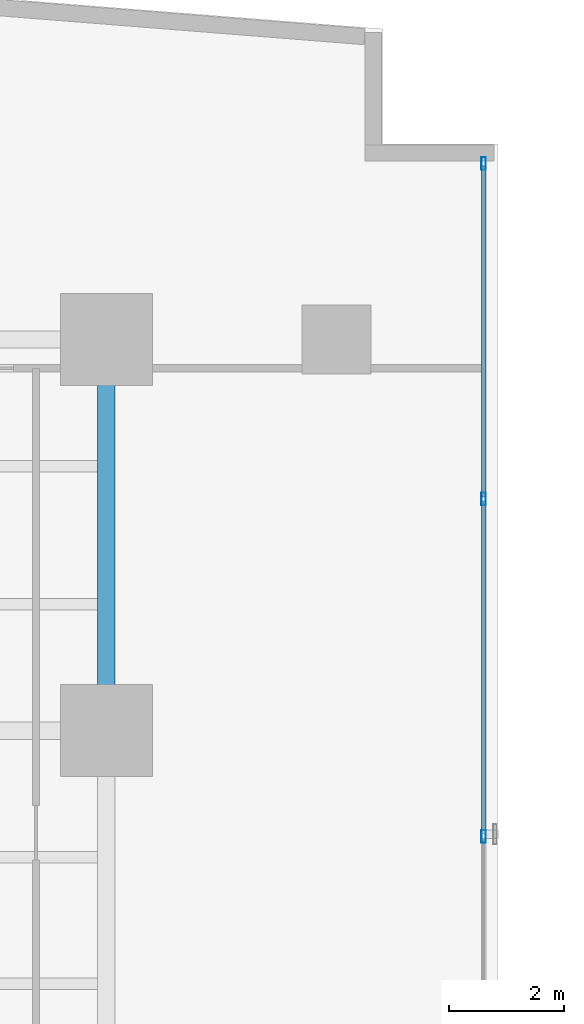
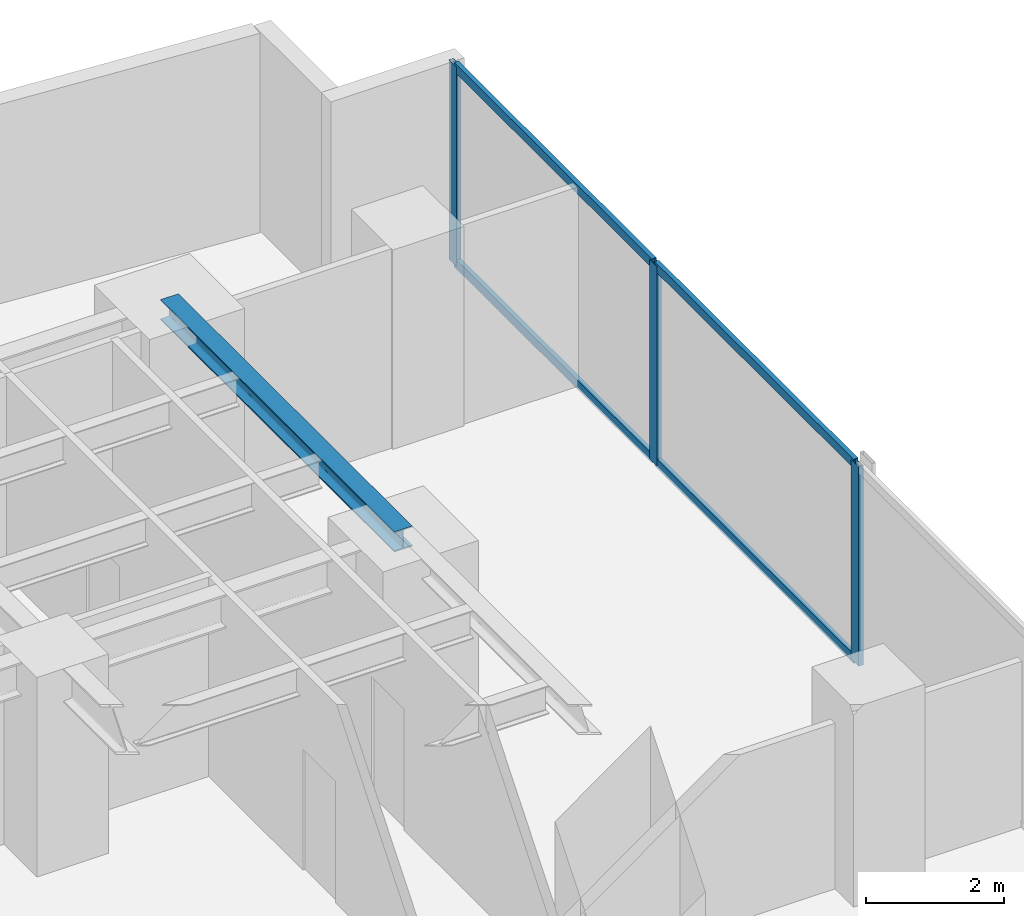
# One storey, part 19 of 28: 7 members, 1 beam, 1 element without a shape of its own.
"""IFC4 building model written with IfcOpenShell, lengths in metres."""

import ifcopenshell
import ifcopenshell.guid

model = None  # the IFC model being written
_history = None  # IfcOwnerHistory: only IFC2X3 demands one
_inside = {}  # id of a spatial element -> (the spatial element, [elements in it])
_under = {}  # id of a project, library or spatial element -> (it, [spatial elements below it])
_declared = {}  # id of a project -> (the project, [libraries it declares])
_typed = {}  # id of a type object -> (the type object, [elements of that type])
_made_of = {}  # id of a material, layer set ... -> (it, [elements and type objects made of it])


def new_model(schema):
    """Start an empty IFC model of exactly this schema.

    Asked for "IFC4X3", IfcOpenShell would pick the latest addendum, in which some entities
    have other attributes; the version numbers below select the first issue.
    IFC2X3 requires an IfcOwnerHistory on every rooted entity: one is made here for all.
    """
    global model, _history
    if schema == "IFC4X3":
        model = ifcopenshell.file(schema_version=(4, 3, 0, 0))
    else:
        model = ifcopenshell.file(schema=schema)
    _inside.clear()
    _under.clear()
    _declared.clear()
    _typed.clear()
    _made_of.clear()
    _history = None
    if model.schema == "IFC2X3":
        org = make("IfcOrganization", Name="unknown")
        user = make(
            "IfcPersonAndOrganization",
            ThePerson=make("IfcPerson", FamilyName="unknown"),
            TheOrganization=org,
        )
        app = make(
            "IfcApplication",
            ApplicationDeveloper=org,
            Version="unknown",
            ApplicationFullName="unknown",
            ApplicationIdentifier="unknown",
        )
        _history = make(
            "IfcOwnerHistory",
            OwningUser=user,
            OwningApplication=app,
            ChangeAction="ADDED",
            CreationDate=0,
        )
    return model


def make(cls, **values):
    """One entity of the class cls with the attributes given. An attribute that is None is left unset."""
    return model.create_entity(
        cls, **{name: value for name, value in values.items() if value is not None}
    )


def rooted(cls, **values):
    """An entity with a GlobalId (a new one), such as an element, a storey or a relation."""
    return make(cls, GlobalId=ifcopenshell.guid.new(), OwnerHistory=_history, **values)


def si_unit(unit_type, name, prefix=None):
    """IfcSIUnit, for example si_unit("LENGTHUNIT", "METRE", prefix="MILLI")."""
    return make("IfcSIUnit", UnitType=unit_type, Prefix=prefix, Name=name)


def assignment(units):
    """IfcUnitAssignment: the units of a project."""
    return None if units is None else make("IfcUnitAssignment", Units=units)


def point(xyz):
    """IfcCartesianPoint."""
    return None if xyz is None else make("IfcCartesianPoint", Coordinates=xyz)


def direction(xyz):
    """IfcDirection."""
    return None if xyz is None else make("IfcDirection", DirectionRatios=xyz)


def frame(location, z_axis=None, x_axis=None):
    """IfcAxis2Placement3D, a coordinate frame: its origin and axes. An axis left out is left unset."""
    return make(
        "IfcAxis2Placement3D",
        Location=point(location),
        Axis=direction(z_axis),
        RefDirection=direction(x_axis),
    )


def frame_2d(location, x_axis=None):
    """IfcAxis2Placement2D, a coordinate frame in the plane: its origin and x axis."""
    return make(
        "IfcAxis2Placement2D", Location=point(location), RefDirection=direction(x_axis)
    )


def origin():
    """The frame at (0, 0, 0) with its axes left unset."""
    return frame((0.0, 0.0, 0.0))


def origin_with_axes():
    """The frame at (0, 0, 0) with the z axis (0, 0, 1) and the x axis (1, 0, 0) written out."""
    return frame((0.0, 0.0, 0.0), z_axis=(0.0, 0.0, 1.0), x_axis=(1.0, 0.0, 0.0))


def origin_2d():
    """The frame at (0, 0) in the plane with its x axis left unset."""
    return frame_2d((0.0, 0.0))


def place(relative_to, where):
    """IfcLocalPlacement: puts the frame where relative to a parent placement (None: the world)."""
    return make(
        "IfcLocalPlacement", PlacementRelTo=relative_to, RelativePlacement=where
    )


def context(
    kind, dimensions, precision=None, world=None, true_north=None, identifier=None
):
    """IfcGeometricRepresentationContext, for example the 3D "Model" context."""
    return make(
        "IfcGeometricRepresentationContext",
        ContextIdentifier=identifier,
        ContextType=kind,
        CoordinateSpaceDimension=dimensions,
        Precision=precision,
        WorldCoordinateSystem=world,
        TrueNorth=true_north,
    )


def subcontext(parent, identifier, kind, view, scale=None):
    """IfcGeometricRepresentationSubContext, for example "Body" below "Model"."""
    return make(
        "IfcGeometricRepresentationSubContext",
        ContextIdentifier=identifier,
        ContextType=kind,
        ParentContext=parent,
        TargetScale=scale,
        TargetView=view,
    )


def project(units=None, contexts=None):
    """IfcProject with its units and contexts."""
    return rooted(
        "IfcProject",
        Name="project",
        RepresentationContexts=contexts,
        UnitsInContext=assignment(units),
    )


def spatial(cls, under=None, at=None, **own):
    """A site, building, storey or space (cls), placed at a placement, below another one or the project."""
    s = rooted(cls, ObjectPlacement=at, **own)
    if under is not None:
        _under.setdefault(under.id(), (under, []))[1].append(s)
    return s


def profile(cls, at=None, kind="AREA", **sizes):
    """A parametric profile (cls). Its sizes go by their IFC names, for example OverallWidth=200.0."""
    return make(cls, ProfileType=kind, Position=at, **sizes)


def hollow_rectangle(**sizes):
    """IfcRectangleHollowProfileDef."""
    return profile("IfcRectangleHollowProfileDef", **sizes)


def i_section(**sizes):
    """IfcIShapeProfileDef."""
    return profile("IfcIShapeProfileDef", **sizes)


def extrude(swept, where, along, depth):
    """IfcExtrudedAreaSolid: the profile swept, set in the frame where, extruded along a direction by depth."""
    return make(
        "IfcExtrudedAreaSolid",
        SweptArea=swept,
        Position=where,
        ExtrudedDirection=direction(along),
        Depth=depth,
    )


def shape(context_of_items, identifier, shape_type, items):
    """IfcShapeRepresentation: the items that make up one representation, for example the "Body"."""
    return make(
        "IfcShapeRepresentation",
        ContextOfItems=context_of_items,
        RepresentationIdentifier=identifier,
        RepresentationType=shape_type,
        Items=items,
    )


def source(mapping_origin, context_of_items, identifier, shape_type, items):
    """IfcRepresentationMap: a shape defined once, which mapped items show again and again."""
    return make(
        "IfcRepresentationMap",
        MappingOrigin=mapping_origin,
        MappedRepresentation=shape(context_of_items, identifier, shape_type, items),
    )


def transform(
    local_origin,
    x_axis=None,
    y_axis=None,
    z_axis=None,
    scale=None,
    scale2=None,
    scale3=None,
    uniform=True,
):
    """IfcCartesianTransformationOperator3D, or its non-uniform kind. x_axis, y_axis, z_axis: its Axis1, 2, 3."""
    if uniform:
        return make(
            "IfcCartesianTransformationOperator3D",
            Axis1=direction(x_axis),
            Axis2=direction(y_axis),
            LocalOrigin=point(local_origin),
            Scale=scale,
            Axis3=direction(z_axis),
        )
    return make(
        "IfcCartesianTransformationOperator3DnonUniform",
        Axis1=direction(x_axis),
        Axis2=direction(y_axis),
        LocalOrigin=point(local_origin),
        Scale=scale,
        Axis3=direction(z_axis),
        Scale2=scale2,
        Scale3=scale3,
    )


def mapped(mapping_source, mapping_target):
    """IfcMappedItem: shows the shape of a source again, moved by a transform."""
    return make(
        "IfcMappedItem", MappingSource=mapping_source, MappingTarget=mapping_target
    )


def material(Name=None, Category=None):
    """IfcMaterial."""
    return make("IfcMaterial", Name=Name, Category=Category)


def layer(
    of_material, thickness, ventilated=None, Name=None, Category=None, Priority=None
):
    """IfcMaterialLayer: one layer of a wall or slab, of a material (None: an air gap)."""
    return make(
        "IfcMaterialLayer",
        Material=of_material,
        LayerThickness=thickness,
        IsVentilated=ventilated,
        Name=Name,
        Category=Category,
        Priority=Priority,
    )


def layer_set(layers, Name=None):
    """IfcMaterialLayerSet."""
    return make("IfcMaterialLayerSet", MaterialLayers=layers, LayerSetName=Name)


def material_profile(
    of_material, cross_section, Name=None, Category=None, Priority=None
):
    """IfcMaterialProfile: a cross section and its material."""
    return make(
        "IfcMaterialProfile",
        Name=Name,
        Material=of_material,
        Profile=cross_section,
        Priority=Priority,
        Category=Category,
    )


def profile_set(profiles, Name=None, composite=None):
    """IfcMaterialProfileSet."""
    return make(
        "IfcMaterialProfileSet",
        Name=Name,
        MaterialProfiles=profiles,
        CompositeProfile=composite,
    )


def made_of(thing, what):
    """Note that an element or type object is made of a material, layer set ...; save() writes the relation."""
    if what is not None:
        _made_of.setdefault(what.id(), (what, []))[1].append(thing)
    return thing


def type_object(cls, material=None, **own):
    """A type object (cls), such as IfcWallType, which elements share."""
    return made_of(rooted(cls, **own), material)


def element(
    cls,
    number,
    at=None,
    inside=None,
    cuts=None,
    type_object=None,
    material=None,
    context=None,
    identifier="Body",
    shape_type=None,
    held_by="IfcProductDefinitionShape",
    body=None,
    shapes=None,
    **own,
):
    """One element of the class cls, such as IfcWall. Its Tag is "e" and its number.

    at: its placement. inside: the storey or other place that contains it. cuts: it is an
    opening in that element (IfcRelVoidsElement). A single representation is given by context,
    identifier, shape_type and body (its items); several are given by shapes. held_by: the class
    of the entity that holds the representations. save() writes the other relations.
    """
    e = rooted(cls, Tag="e%d" % number, ObjectPlacement=at, **own)
    if body is not None:
        shapes = [shape(context, identifier, shape_type, body)]
    if shapes is not None:
        e.Representation = make(held_by, Representations=shapes)
    if inside is not None:
        _inside.setdefault(inside.id(), (inside, []))[1].append(e)
    if cuts is not None:
        rooted(
            "IfcRelVoidsElement", RelatingBuildingElement=cuts, RelatedOpeningElement=e
        )
    if type_object is not None:
        _typed.setdefault(type_object.id(), (type_object, []))[1].append(e)
    return made_of(e, material)


def aggregate(whole, parts):
    """IfcRelAggregates: a whole, such as a stair, and the parts it consists of."""
    return rooted("IfcRelAggregates", RelatingObject=whole, RelatedObjects=parts)


def save(model, path):
    """Write the relations noted so far, then the file.

    IfcRelAggregates (storeys below a building ...), IfcRelContainedInSpatialStructure (elements
    in a storey), IfcRelDefinesByType, IfcRelAssociatesMaterial and IfcRelDeclares: one each for
    every whole, place, type object, material and project.
    """
    for whole, parts in _under.values():
        aggregate(whole, parts)
    for where, things in _inside.values():
        rooted(
            "IfcRelContainedInSpatialStructure",
            RelatedElements=things,
            RelatingStructure=where,
        )
    for kind, things in _typed.values():
        rooted("IfcRelDefinesByType", RelatedObjects=things, RelatingType=kind)
    for what, things in _made_of.values():
        rooted("IfcRelAssociatesMaterial", RelatedObjects=things, RelatingMaterial=what)
    for by, libraries in _declared.values():
        rooted("IfcRelDeclares", RelatingContext=by, RelatedDefinitions=libraries)
    model.write(path)


model = new_model("IFC4")

# Units and contexts
model_context = context("Model", 3, precision=1e-05, world=origin(), true_north=direction((0.0, 1.0)))
body_context = subcontext(model_context, "Body", "Model", "MODEL_VIEW")
ifc_project = project(units=[si_unit("LENGTHUNIT", "METRE"), si_unit("AREAUNIT", "SQUARE_METRE"), si_unit("VOLUMEUNIT", "CUBIC_METRE"), si_unit("PLANEANGLEUNIT", "RADIAN"), si_unit("MASSUNIT", "GRAM", prefix="KILO")], contexts=[model_context])

# Site, building, storey
site_placement = place(None, origin())
site = spatial("IfcSite", under=ifc_project, at=site_placement, CompositionType="ELEMENT")
building_placement = place(site_placement, origin())
building = spatial("IfcBuilding", under=site, at=building_placement, Name="Kolvaren Waterfront Exchange", CompositionType="ELEMENT")
storey_placement = place(building_placement, frame((0.0, 0.0, 56.199951171875)))
storey = spatial("IfcBuildingStorey", under=building, at=storey_placement, Name="L14", CompositionType="ELEMENT", Elevation=56.199951171875)

# Beam
ifc_material_1 = material(Name="Steel S355", Category="steel")
ifc_material_profile_1 = material_profile(ifc_material_1, i_section(OverallWidth=0.300048828125, OverallDepth=0.360107421875, WebThickness=0.012451171875, FlangeThickness=0.0224609375, FilletRadius=0.027099609375, at=origin_2d()), Name="HEB360")
ifc_profile_set_1 = profile_set([ifc_material_profile_1], Name="Steel S355")
beam_type = type_object("IfcBeamType", Name="STR-BM-HEB360", PredefinedType="SPANDREL", material=ifc_profile_set_1)
beam_placement = place(storey_placement, frame((18.800048828125, 37.800048828125, 3.360107421875), z_axis=(0.0, 1.0, 0.0), x_axis=(-1.0, 0.0, 0.0)))
element("IfcBeam", 1, at=beam_placement, inside=storey, type_object=beam_type, Name="L14 north-arm edge beam 3", PredefinedType="SPANDREL", context=body_context, shape_type="SweptSolid", body=[
    extrude(i_section(OverallWidth=0.300048828125, OverallDepth=0.360107421875, WebThickness=0.012451171875, FlangeThickness=0.0224609375, FilletRadius=0.027099609375, at=origin_2d()), origin(), (0.0, 0.0, 1.0), 6.800048828125),
])

# Curtain wall, members
ifc_material_2 = material(Name="Anodised bronze aluminium 6063-T6", Category="aluminium")
ifc_layer = layer(ifc_material_2, 0.219970703125, Name="Anodised bronze aluminium 6063-T6")
ifc_layer_set = layer_set([ifc_layer], Name="Anodised bronze aluminium 6063-T6")
curtain_wall_type = type_object("IfcCurtainWallType", Name="ARC-CW-SYS1", PredefinedType="USERDEFINED", material=ifc_layer_set)
curtain_wall_placement = place(storey_placement, origin())
curtain_wall = element("IfcCurtainWall", 2, at=curtain_wall_placement, inside=storey, type_object=curtain_wall_type, Name="L14 stick curtain wall CW1 (CW-L14-NE)", ObjectType="STICK CURTAIN WALL", PredefinedType="USERDEFINED")
ifc_material_3 = material(Name="Anodised aluminium 6063-T6", Category="aluminium")
ifc_material_profile_2 = material_profile(ifc_material_3, hollow_rectangle(XDim=0.074951171875, YDim=0.159912109375, WallThickness=0.00439453125, at=origin_2d()), Name="ALU-TRN-160x75x4.5")
ifc_profile_set_2 = profile_set([ifc_material_profile_2], Name="Anodised aluminium 6063-T6")
member_type_1 = type_object("IfcMemberType", Name="ARC-CWT-160", PredefinedType="USERDEFINED", material=ifc_profile_set_2)
shared_shape_1 = source(origin_with_axes(), body_context, "Body", "SweptSolid", [
    extrude(hollow_rectangle(XDim=0.074951171875, YDim=0.159912109375, WallThickness=0.00439453125, at=origin_2d()), origin(), (0.0, 0.0, 1.0), 5.75),
])
member_1_placement = place(storey_placement, frame((25.360107421875, 41.8701171875, 0.03759765625), z_axis=(0.0, 1.0, 0.0), x_axis=(-1.0, 0.0, 0.0)))
member_1 = element("IfcMember", 3, at=member_1_placement, type_object=member_type_1, Name="CW1 transom 3.1", ObjectType="TRANSOM", PredefinedType="USERDEFINED", context=body_context, shape_type="MappedRepresentation", body=[
    mapped(shared_shape_1, transform((0.0, 0.0, 0.0), x_axis=(1.0, 0.0, 0.0), y_axis=(0.0, 1.0, 0.0), z_axis=(0.0, 0.0, 1.0), scale=1.0)),
])
member_2_placement = place(storey_placement, frame((25.360107421875, 41.8701171875, 3.50244140625), z_axis=(0.0, 1.0, 0.0), x_axis=(-1.0, 0.0, 0.0)))
member_2 = element("IfcMember", 4, at=member_2_placement, type_object=member_type_1, Name="CW1 transom 3.2", ObjectType="TRANSOM", PredefinedType="USERDEFINED", context=body_context, shape_type="MappedRepresentation", body=[
    mapped(shared_shape_1, transform((0.0, 0.0, 0.0), x_axis=(1.0, 0.0, 0.0), y_axis=(0.0, 1.0, 0.0), z_axis=(0.0, 0.0, 1.0), scale=1.0)),
])
shared_shape_2 = source(origin_with_axes(), body_context, "Body", "SweptSolid", [
    extrude(hollow_rectangle(XDim=0.074951171875, YDim=0.159912109375, WallThickness=0.00439453125, at=origin_2d()), origin(), (0.0, 0.0, 1.0), 5.7900390625),
])
member_3_placement = place(storey_placement, frame((25.360107421875, 36.0, 0.03759765625), z_axis=(0.0, 1.0, 0.0), x_axis=(-1.0, 0.0, 0.0)))
member_3 = element("IfcMember", 5, at=member_3_placement, type_object=member_type_1, Name="CW1 transom 2.1", ObjectType="TRANSOM", PredefinedType="USERDEFINED", context=body_context, shape_type="MappedRepresentation", body=[
    mapped(shared_shape_2, transform((0.0, 0.0, 0.0), x_axis=(1.0, 0.0, 0.0), y_axis=(0.0, 1.0, 0.0), z_axis=(0.0, 0.0, 1.0), scale=1.0)),
])
member_4_placement = place(storey_placement, frame((25.360107421875, 36.0, 3.50244140625), z_axis=(0.0, 1.0, 0.0), x_axis=(-1.0, 0.0, 0.0)))
member_4 = element("IfcMember", 6, at=member_4_placement, type_object=member_type_1, Name="CW1 transom 2.2", ObjectType="TRANSOM", PredefinedType="USERDEFINED", context=body_context, shape_type="MappedRepresentation", body=[
    mapped(shared_shape_2, transform((0.0, 0.0, 0.0), x_axis=(1.0, 0.0, 0.0), y_axis=(0.0, 1.0, 0.0), z_axis=(0.0, 0.0, 1.0), scale=1.0)),
])
ifc_material_profile_3 = material_profile(ifc_material_3, hollow_rectangle(XDim=0.080078125, YDim=0.219970703125, WallThickness=0.0048828125, at=origin_2d()), Name="ALU-MUL-220x80x5")
ifc_profile_set_3 = profile_set([ifc_material_profile_3], Name="Anodised aluminium 6063-T6")
member_type_2 = type_object("IfcMemberType", Name="ARC-CWM-220", PredefinedType="MULLION", material=ifc_profile_set_3)
shared_shape_3 = source(origin_with_axes(), body_context, "Body", "SweptSolid", [
    extrude(hollow_rectangle(XDim=0.080078125, YDim=0.219970703125, WallThickness=0.0048828125, at=origin_2d()), origin(), (0.0, 0.0, 1.0), 3.5400390625),
])
member_5_placement = place(storey_placement, frame((25.360107421875, 35.9599609375, 0.0), z_axis=(0.0, 0.0, 1.0), x_axis=(-1.0, 0.0, 0.0)))
member_5 = element("IfcMember", 7, at=member_5_placement, type_object=member_type_2, Name="CW1 mullion 2", PredefinedType="MULLION", context=body_context, shape_type="MappedRepresentation", body=[
    mapped(shared_shape_3, transform((0.0, 0.0, 0.0), x_axis=(1.0, 0.0, 0.0), y_axis=(0.0, 1.0, 0.0), z_axis=(0.0, 0.0, 1.0), scale=1.0)),
])
member_6_placement = place(storey_placement, frame((25.360107421875, 41.830078125, 0.0), z_axis=(0.0, 0.0, 1.0), x_axis=(-1.0, 0.0, 0.0)))
member_6 = element("IfcMember", 8, at=member_6_placement, type_object=member_type_2, Name="CW1 mullion 3", PredefinedType="MULLION", context=body_context, shape_type="MappedRepresentation", body=[
    mapped(shared_shape_3, transform((0.0, 0.0, 0.0), x_axis=(1.0, 0.0, 0.0), y_axis=(0.0, 1.0, 0.0), z_axis=(0.0, 0.0, 1.0), scale=1.0)),
])
member_7_placement = place(storey_placement, frame((25.360107421875, 47.659912109375, 0.0), z_axis=(0.0, 0.0, 1.0), x_axis=(-1.0, 0.0, 0.0)))
member_7 = element("IfcMember", 9, at=member_7_placement, type_object=member_type_2, Name="CW1 mullion 4", PredefinedType="MULLION", context=body_context, shape_type="MappedRepresentation", body=[
    mapped(shared_shape_3, transform((0.0, 0.0, 0.0), x_axis=(1.0, 0.0, 0.0), y_axis=(0.0, 1.0, 0.0), z_axis=(0.0, 0.0, 1.0), scale=1.0)),
])
aggregate(curtain_wall, [member_5, member_6, member_7, member_3, member_4, member_1, member_2])

save(model, "model.ifc")
